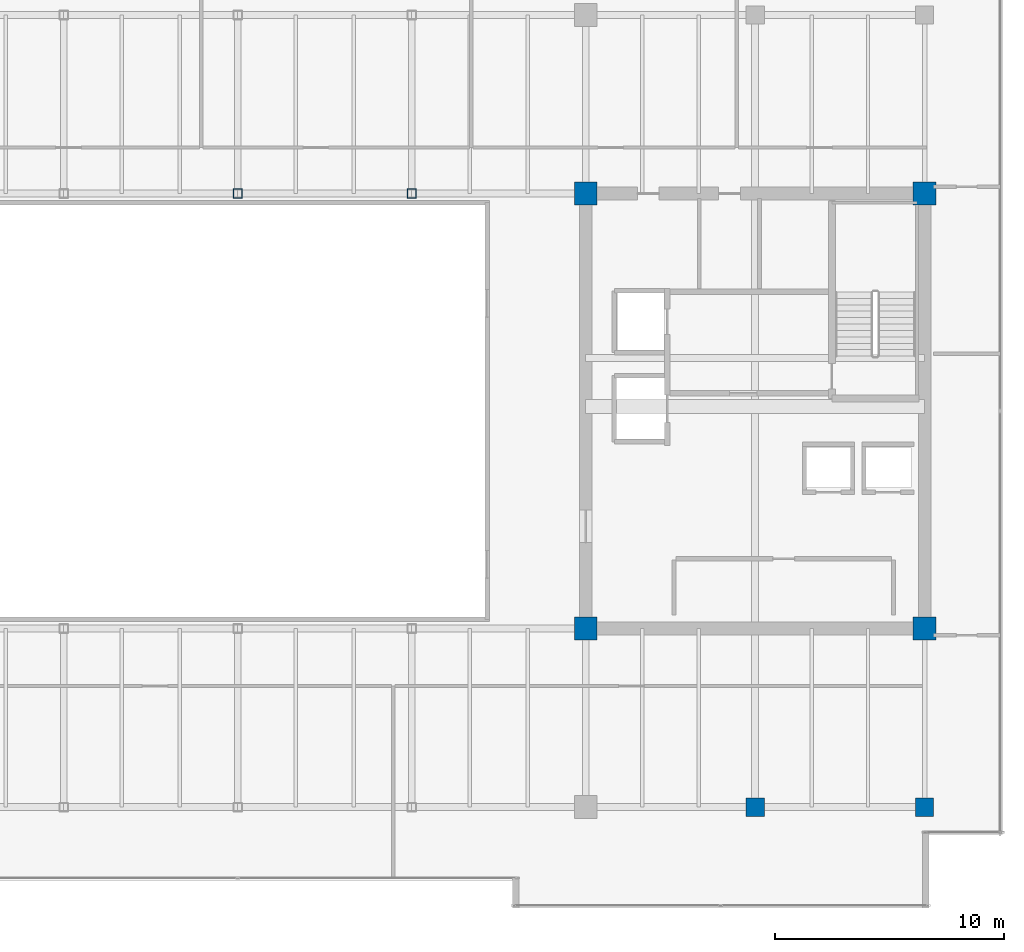
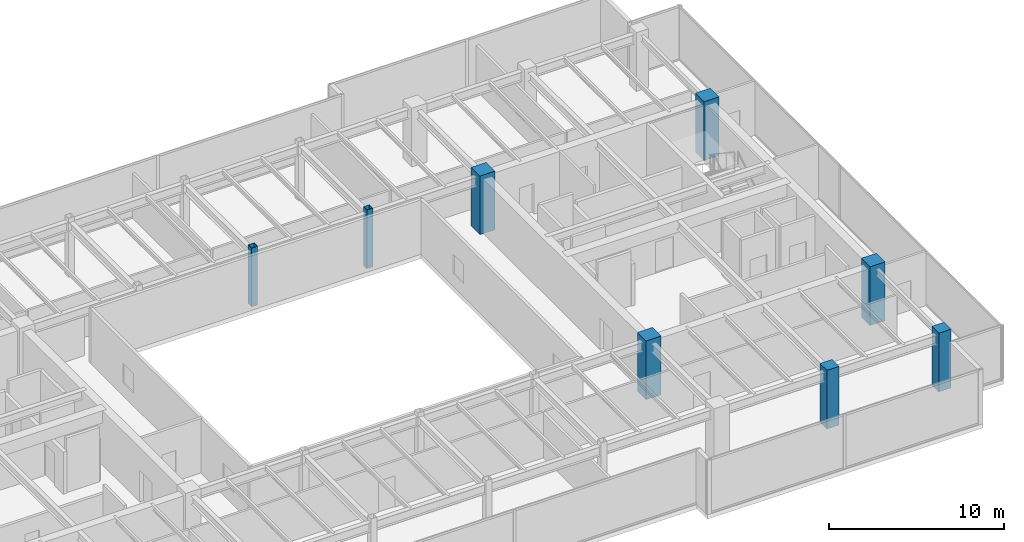
# One storey, part 2 of 33: 8 columns.
"""IFC4 building model written with IfcOpenShell, lengths in metres."""

from ifc_helpers import new_model, si_unit, direction, frame, origin, origin_2d, place, context, subcontext, project, spatial, rectangle, hollow_rectangle, extrude, source, transform, mapped, material, material_profile, profile_set, type_object, type_shapes, element, save


model = new_model("IFC4")

# Units and contexts
model_context = context("Model", 3, precision=1e-05, world=origin(), true_north=direction((0.0, 1.0)))
body_context = subcontext(model_context, "Body", "Model", "MODEL_VIEW")
ifc_project = project(units=[si_unit("LENGTHUNIT", "METRE"), si_unit("AREAUNIT", "SQUARE_METRE"), si_unit("VOLUMEUNIT", "CUBIC_METRE"), si_unit("PLANEANGLEUNIT", "RADIAN"), si_unit("MASSUNIT", "GRAM", prefix="KILO")], contexts=[model_context])

# Site, building, storey
site_placement = place(None, origin())
site = spatial("IfcSite", under=ifc_project, at=site_placement, CompositionType="ELEMENT")
building_placement = place(site_placement, origin())
building = spatial("IfcBuilding", under=site, at=building_placement, Name="Haelvirn Gate Laboratories", CompositionType="ELEMENT")
storey_placement = place(building_placement, frame((0.0, 0.0, 230.10009765625)))
storey = spatial("IfcBuildingStorey", under=building, at=storey_placement, Name="L55", CompositionType="ELEMENT", Elevation=230.10009765625)

# Columns
ifc_material_1 = material(Name="Concrete C60/75", Category="concrete")
ifc_material_profile_1 = material_profile(ifc_material_1, rectangle(XDim=1.0, YDim=1.0, at=origin_2d()), Name="RC-1000x1000")
ifc_profile_set_1 = profile_set([ifc_material_profile_1], Name="Concrete C60/75")
column_type_1 = type_object("IfcColumnType", Name="COL-RC-1000", PredefinedType="COLUMN", material=ifc_profile_set_1)
shared_shape_1 = source(origin(), body_context, "Body", "SweptSolid", [
    extrude(rectangle(XDim=1.0, YDim=1.0, at=origin_2d()), origin(), (0.0, 0.0, 1.0), 4.099853515625),
])
type_shapes(column_type_1, [shared_shape_1])
for number, where, z_axis, x_axis, name in (
    (1, (52.60009765625, 14.800048828125, 0.0), (0.0, 0.0, 1.0), (1.0, 0.0, 0.0), "L55 Column 8C"),
    (2, (67.39990234375, 14.800048828125, 0.0), (0.0, 0.0, 1.0), (1.0, 0.0, 0.0), "L55 Column 10C"),
    (3, (52.60009765625, 33.800048828125, 0.0), (0.0, 0.0, 1.0), (1.0, 0.0, 0.0), "L55 Column 8F"),
    (4, (67.39990234375, 33.800048828125, 0.0), (0.0, 0.0, 1.0), (1.0, 0.0, 0.0), "L55 Column 10F"),
):
    element("IfcColumn", number, at=place(storey_placement, frame(where, z_axis=z_axis, x_axis=x_axis)), inside=storey, type_object=column_type_1, Name=name, PredefinedType="COLUMN", context=body_context, shape_type="MappedRepresentation", body=[
        mapped(shared_shape_1, transform((0.0, 0.0, 0.0), scale=1.0)),
    ])
ifc_material_2 = material(Name="Concrete C50/60", Category="concrete")
ifc_material_profile_2 = material_profile(ifc_material_2, rectangle(XDim=0.800048828125, YDim=0.800048828125, at=origin_2d()), Name="RC-800x800")
ifc_profile_set_2 = profile_set([ifc_material_profile_2], Name="Concrete C50/60")
column_type_2 = type_object("IfcColumnType", Name="COL-RC-800", PredefinedType="COLUMN", material=ifc_profile_set_2)
shared_shape_2 = source(origin(), body_context, "Body", "SweptSolid", [
    extrude(rectangle(XDim=0.800048828125, YDim=0.800048828125, at=origin_2d()), origin(), (0.0, 0.0, 1.0), 4.099853515625),
])
type_shapes(column_type_2, [shared_shape_2])
for number, where, z_axis, x_axis, name in (
    (5, (60.0, 7.0, 0.0), (0.0, 0.0, 1.0), (1.0, 0.0, 0.0), "L55 Column 9B"),
    (6, (67.39990234375, 7.0, 0.0), (0.0, 0.0, 1.0), (1.0, 0.0, 0.0), "L55 Column 10B"),
):
    element("IfcColumn", number, at=place(storey_placement, frame(where, z_axis=z_axis, x_axis=x_axis)), inside=storey, type_object=column_type_2, Name=name, PredefinedType="COLUMN", context=body_context, shape_type="MappedRepresentation", body=[
        mapped(shared_shape_2, transform((0.0, 0.0, 0.0), scale=1.0)),
    ])
ifc_material_3 = material(Name="Steel SM355", Category="steel")
ifc_material_profile_3 = material_profile(ifc_material_3, hollow_rectangle(XDim=0.39990234375, YDim=0.39990234375, WallThickness=0.01904296875, at=origin_2d()), Name="BOX-400x400x19")
ifc_profile_set_3 = profile_set([ifc_material_profile_3], Name="Steel SM355")
column_type_3 = type_object("IfcColumnType", Name="COL-BOX-400", PredefinedType="COLUMN", material=ifc_profile_set_3)
shared_shape_3 = source(origin(), body_context, "Body", "SweptSolid", [
    extrude(hollow_rectangle(XDim=0.39990234375, YDim=0.39990234375, WallThickness=0.01904296875, at=origin_2d()), origin(), (0.0, 0.0, 1.0), 4.099853515625),
])
type_shapes(column_type_3, [shared_shape_3])
for number, where, z_axis, x_axis, name in (
    (7, (37.39990234375, 33.800048828125, 0.0), (0.0, 0.0, 1.0), (1.0, 0.0, 0.0), "L55 Column 6F"),
    (8, (45.0, 33.800048828125, 0.0), (0.0, 0.0, 1.0), (1.0, 0.0, 0.0), "L55 Column 7F"),
):
    element("IfcColumn", number, at=place(storey_placement, frame(where, z_axis=z_axis, x_axis=x_axis)), inside=storey, type_object=column_type_3, Name=name, PredefinedType="COLUMN", context=body_context, shape_type="MappedRepresentation", body=[
        mapped(shared_shape_3, transform((0.0, 0.0, 0.0), scale=1.0)),
    ])

save(model, "model.ifc")
